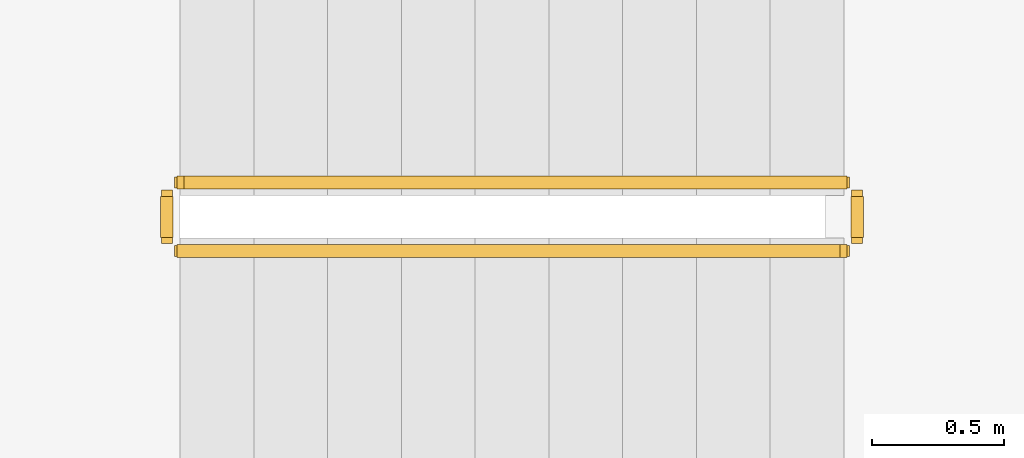
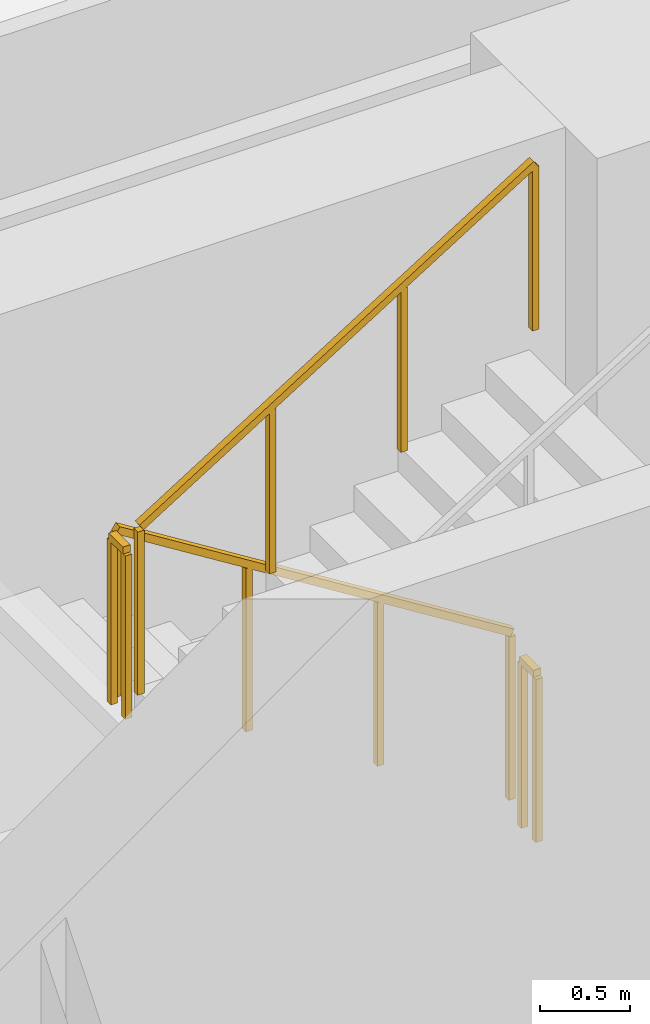
# One storey, part 13 of 15: 4 railings.
"""IFC4 building model written with IfcOpenShell, lengths in metres."""

from ifc_helpers import new_model, si_unit, direction, frame, origin, origin_2d, place, context, subcontext, project, spatial, rectangle, extrude, material, type_object, element, save


model = new_model("IFC4")

# Units and contexts
model_context = context("Model", 3, precision=1e-05, world=origin(), true_north=direction((0.0, 1.0)))
body_context = subcontext(model_context, "Body", "Model", "MODEL_VIEW")
ifc_project = project(units=[si_unit("LENGTHUNIT", "METRE"), si_unit("AREAUNIT", "SQUARE_METRE"), si_unit("VOLUMEUNIT", "CUBIC_METRE"), si_unit("PLANEANGLEUNIT", "RADIAN"), si_unit("MASSUNIT", "GRAM", prefix="KILO")], contexts=[model_context])

# Site, building, storey
site_placement = place(None, origin())
site = spatial("IfcSite", under=ifc_project, at=site_placement, CompositionType="ELEMENT")
building_placement = place(site_placement, origin())
building = spatial("IfcBuilding", under=site, at=building_placement, Name="Zarnavel Station Tower", CompositionType="ELEMENT")
storey_placement = place(building_placement, frame((0.0, 0.0, 57.0)))
storey = spatial("IfcBuildingStorey", under=building, at=storey_placement, Name="L15", CompositionType="ELEMENT", Elevation=57.0)

# Railings
ifc_material = material(Name="Painted Steel S355J2 Balustrade", Category="steel")
railing_type = type_object("IfcRailingType", Name="GR_INT_1150", PredefinedType="GUARDRAIL", material=ifc_material)
railing_1_placement = place(storey_placement, frame((19.47998046875, 35.3701171875, 0.175048828125)))
element("IfcRailing", 1, at=railing_1_placement, inside=storey, type_object=railing_type, Name="L15 ST1 stair guard 1", PredefinedType="GUARDRAIL", context=body_context, shape_type="SweptSolid", body=[
    extrude(rectangle(XDim=0.048095703125, YDim=0.048095703125, at=origin_2d()), frame((-0.001708984375, 0.0, 1.126953125), z_axis=(-0.848007534815, 0.0, 0.529984170421), x_axis=(0.0, -1.0, 0.0)), (0.0, 0.0, 1.0), 2.9677734375),
    extrude(rectangle(XDim=0.0419921875, YDim=0.0419921875, at=origin_2d()), origin(), (0.0, 0.0, 1.0), 1.101806640625),
    extrude(rectangle(XDim=0.0419921875, YDim=0.0419921875, at=origin_2d()), frame((-0.840087890625, 0.0, 0.52490234375)), (0.0, 0.0, 1.0), 1.101806640625),
    extrude(rectangle(XDim=0.0419921875, YDim=0.0419921875, at=origin_2d()), frame((-1.679931640625, 0.0, 1.050048828125)), (0.0, 0.0, 1.0), 1.101806640625),
    extrude(rectangle(XDim=0.0419921875, YDim=0.0419921875, at=origin_2d()), frame((-2.52001953125, 0.0, 1.574951171875)), (0.0, 0.0, 1.0), 1.101806640625),
])
railing_2_placement = place(storey_placement, frame((16.909912109375, 35.320068359375, 1.75)))
element("IfcRailing", 2, at=railing_2_placement, inside=storey, type_object=railing_type, Name="L15 ST1 stair guard 2", PredefinedType="GUARDRAIL", context=body_context, shape_type="SweptSolid", body=[
    extrude(rectangle(XDim=0.048095703125, YDim=0.048095703125, at=origin_2d()), frame((0.0, -0.001953125, 1.1259765625), z_axis=(0.0, -1.0, 0.0), x_axis=(1.0, 0.0, 0.0)), (0.0, 0.0, 1.0), 0.15625),
    extrude(rectangle(XDim=0.0419921875, YDim=0.0419921875, at=origin_2d()), origin(), (0.0, 0.0, 1.0), 1.101806640625),
    extrude(rectangle(XDim=0.0419921875, YDim=0.0419921875, at=origin_2d()), frame((0.0, -0.16015625, 0.0)), (0.0, 0.0, 1.0), 1.101806640625),
])
railing_3_placement = place(storey_placement, frame((16.9599609375, 35.110107421875, 1.925048828125)))
element("IfcRailing", 3, at=railing_3_placement, inside=storey, type_object=railing_type, Name="L15 ST1 stair guard 3", PredefinedType="GUARDRAIL", context=body_context, shape_type="SweptSolid", body=[
    extrude(rectangle(XDim=0.048095703125, YDim=0.048095703125, at=origin_2d()), frame((0.001708984375, 0.0, 1.126953125), z_axis=(0.848007534815, 0.0, 0.529984170421), x_axis=(0.0, 1.0, 0.0)), (0.0, 0.0, 1.0), 2.9677734375),
    extrude(rectangle(XDim=0.0419921875, YDim=0.0419921875, at=origin_2d()), origin(), (0.0, 0.0, 1.0), 1.101806640625),
    extrude(rectangle(XDim=0.0419921875, YDim=0.0419921875, at=origin_2d()), frame((0.840087890625, 0.0, 0.52490234375)), (0.0, 0.0, 1.0), 1.101806640625),
    extrude(rectangle(XDim=0.0419921875, YDim=0.0419921875, at=origin_2d()), frame((1.679931640625, 0.0, 1.050048828125)), (0.0, 0.0, 1.0), 1.101806640625),
    extrude(rectangle(XDim=0.0419921875, YDim=0.0419921875, at=origin_2d()), frame((2.52001953125, 0.0, 1.574951171875)), (0.0, 0.0, 1.0), 1.101806640625),
])
railing_4_placement = place(storey_placement, frame((19.530029296875, 35.320068359375, 0.0)))
element("IfcRailing", 4, at=railing_4_placement, inside=storey, type_object=railing_type, Name="L15 ST1 stair guard 4", PredefinedType="GUARDRAIL", context=body_context, shape_type="SweptSolid", body=[
    extrude(rectangle(XDim=0.048095703125, YDim=0.048095703125, at=origin_2d()), frame((0.0, -0.001953125, 1.1259765625), z_axis=(0.0, -1.0, 0.0), x_axis=(1.0, 0.0, 0.0)), (0.0, 0.0, 1.0), 0.15625),
    extrude(rectangle(XDim=0.0419921875, YDim=0.0419921875, at=origin_2d()), origin(), (0.0, 0.0, 1.0), 1.101806640625),
    extrude(rectangle(XDim=0.0419921875, YDim=0.0419921875, at=origin_2d()), frame((0.0, -0.16015625, 0.0)), (0.0, 0.0, 1.0), 1.101806640625),
])

save(model, "model.ifc")
